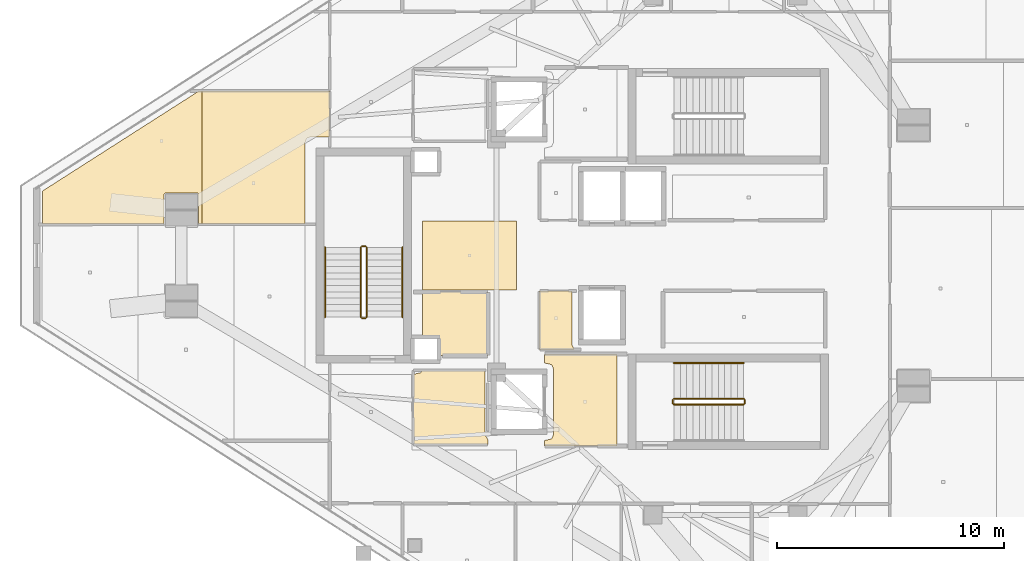
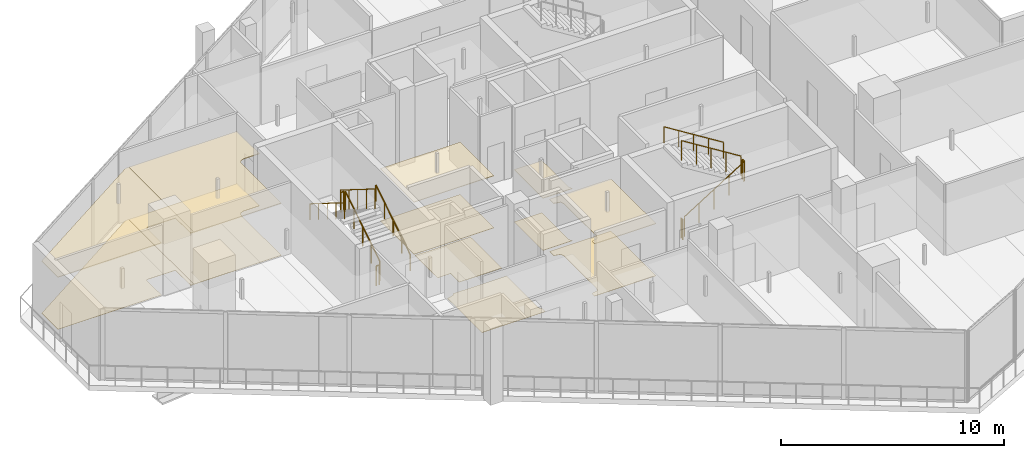
# One storey, part 26 of 29: 12 coverings, 11 railings.
"""IFC4 building model written with IfcOpenShell, lengths in metres."""

from ifc_helpers import new_model, si_unit, direction, frame, origin, origin_2d, place, context, subcontext, project, spatial, polyline, circle, outline, extrude, material, layer, layer_set, type_object, element, save


model = new_model("IFC4")

# Units and contexts
model_context = context("Model", 3, precision=1e-05, world=origin(), true_north=direction((0.0, 1.0)))
body_context = subcontext(model_context, "Body", "Model", "MODEL_VIEW")
ifc_project = project(units=[si_unit("LENGTHUNIT", "METRE"), si_unit("AREAUNIT", "SQUARE_METRE"), si_unit("VOLUMEUNIT", "CUBIC_METRE"), si_unit("PLANEANGLEUNIT", "RADIAN"), si_unit("MASSUNIT", "GRAM", prefix="KILO")], contexts=[model_context])

# Site, building, storey
site_placement = place(None, origin())
site = spatial("IfcSite", under=ifc_project, at=site_placement, CompositionType="ELEMENT")
building_placement = place(site_placement, origin())
building = spatial("IfcBuilding", under=site, at=building_placement, Name="Qorvath Tower", CompositionType="ELEMENT")
storey_placement = place(building_placement, frame((0.0, 0.0, 285.0)))
storey = spatial("IfcBuildingStorey", under=building, at=storey_placement, Name="L66", CompositionType="ELEMENT", Elevation=285.0)

# Coverings
ifc_material_1 = material(Name="Acoustic mineral fibre ceiling tile", Category="gypsum")
ifc_layer_1 = layer(ifc_material_1, 0.030029296875)
ifc_layer_set_1 = layer_set([ifc_layer_1], Name="COV-CEIL")
covering_type_1 = type_object("IfcCoveringType", Name="COV-CEIL", PredefinedType="CEILING", material=ifc_layer_set_1)
covering_1_placement = place(storey_placement, frame((0.0, 0.0, 2.85009765625)))
element("IfcCovering", 1, at=covering_1_placement, inside=storey, type_object=covering_type_1, Name="L66 Suspended Acoustic Ceiling 002", PredefinedType="CEILING", context=body_context, shape_type="SweptSolid", body=[
    extrude(outline(polyline([(-25.18994140625, -8.39501953125), (-25.18994140625, -4.35498046875), (-28.375, -4.35498046875), (-28.375, -4.739990234375), (-28.063232421875, -4.813232421875), (-27.989990234375, -4.989990234375), (-27.989990234375, -7.909912109375), (-28.063232421875, -8.086669921875), (-28.375, -8.159912109375), (-28.375, -8.39501953125), (-25.18994140625, -8.39501953125)])), origin(), (0.0, 0.0, 1.0), 0.030029296875),
])
covering_2_placement = place(storey_placement, frame((0.0, 0.0, 2.85009765625)))
element("IfcCovering", 2, at=covering_2_placement, inside=storey, type_object=covering_type_1, Name="L66 Suspended Acoustic Ceiling 006", PredefinedType="CEILING", context=body_context, shape_type="SweptSolid", body=[
    extrude(outline(polyline([(-27.06689453125, -4.14501953125), (-27.159912109375, -3.9599609375), (-27.159912109375, -1.56494140625), (-28.594970703125, -1.56494140625), (-28.594970703125, -4.14501953125), (-27.06689453125, -4.14501953125)])), origin(), (0.0, 0.0, 1.0), 0.030029296875),
])
covering_3_placement = place(storey_placement, frame((0.0, 0.0, 2.85009765625)))
element("IfcCovering", 3, at=covering_3_placement, inside=storey, type_object=covering_type_1, Name="L66 Suspended Acoustic Ceiling 012", PredefinedType="CEILING", context=body_context, shape_type="SweptSolid", body=[
    extrude(outline(polyline([(-29.614990234375, -1.514892578125), (-29.614990234375, 1.514892578125), (-33.760009765625, 1.514892578125), (-33.760009765625, -1.514892578125), (-29.614990234375, -1.514892578125)])), origin(), (0.0, 0.0, 1.0), 0.030029296875),
])
covering_4_placement = place(storey_placement, frame((0.0, 0.0, 2.85009765625)))
element("IfcCovering", 4, at=covering_4_placement, inside=storey, type_object=covering_type_1, Name="L66 Suspended Acoustic Ceiling 040", PredefinedType="CEILING", context=body_context, shape_type="SweptSolid", body=[
    extrude(outline(polyline([(-43.4833984375, 1.393310546875), (-43.4833984375, 7.2626953125), (-43.626220703125, 7.2626953125), (-50.5283203125, 2.8515625), (-50.5283203125, 1.389892578125), (-45.16259765625, 1.393310546875), (-45.16259765625, 2.70751953125), (-45.1025390625, 2.767578125), (-43.66015625, 2.75), (-43.642578125, 1.393310546875), (-43.4833984375, 1.393310546875)])), origin(), (0.0, 0.0, 1.0), 0.030029296875),
])
covering_5_placement = place(storey_placement, frame((0.0, 0.0, 2.85009765625)))
element("IfcCovering", 5, at=covering_5_placement, inside=storey, type_object=covering_type_1, Name="L66 Suspended Acoustic Ceiling 041", PredefinedType="CEILING", context=body_context, shape_type="SweptSolid", body=[
    extrude(outline(polyline([(-37.863037109375, 5.239990234375), (-37.863037109375, 7.2626953125), (-43.4833984375, 7.2626953125), (-43.4833984375, 1.393310546875), (-38.949951171875, 1.391845703125), (-38.949951171875, 4.989990234375), (-38.876708984375, 5.166748046875), (-38.699951171875, 5.239990234375), (-37.863037109375, 5.239990234375)])), origin(), (0.0, 0.0, 1.0), 0.030029296875),
])
ifc_material_2 = material(Name="Low-VOC modular carpet tile", Category="textile")
ifc_layer_2 = layer(ifc_material_2, 0.014892578125)
ifc_layer_set_2 = layer_set([ifc_layer_2], Name="COV-FLOOR-CPT")
covering_type_2 = type_object("IfcCoveringType", Name="COV-FLOOR-CPT", PredefinedType="FLOORING", material=ifc_layer_set_2)
covering_6_placement = place(storey_placement, origin())
element("IfcCovering", 6, at=covering_6_placement, inside=storey, type_object=covering_type_2, Name="L66 Floor Finish 006", PredefinedType="FLOORING", context=body_context, shape_type="SweptSolid", body=[
    extrude(outline(polyline([(-27.06689453125, -4.14501953125), (-27.159912109375, -3.9599609375), (-27.159912109375, -1.56494140625), (-28.594970703125, -1.56494140625), (-28.594970703125, -4.14501953125), (-27.06689453125, -4.14501953125)])), origin(), (0.0, 0.0, 1.0), 0.014892578125),
])
covering_7_placement = place(storey_placement, origin())
element("IfcCovering", 7, at=covering_7_placement, inside=storey, type_object=covering_type_2, Name="L66 Floor Finish 009", PredefinedType="FLOORING", context=body_context, shape_type="SweptSolid", body=[
    extrude(outline(polyline([(-30.885009765625, -4.4150390625), (-30.885009765625, -1.60498046875), (-33.760009765625, -1.60498046875), (-33.760009765625, -3.636962890625), (-33.08837890625, -3.638427734375), (-33.0869140625, -4.4150390625), (-30.885009765625, -4.4150390625)])), origin(), (0.0, 0.0, 1.0), 0.014892578125),
])
covering_8_placement = place(storey_placement, origin())
element("IfcCovering", 8, at=covering_8_placement, inside=storey, type_object=covering_type_2, Name="L66 Floor Finish 040", PredefinedType="FLOORING", context=body_context, shape_type="SweptSolid", body=[
    extrude(outline(polyline([(-43.4833984375, 1.393310546875), (-43.4833984375, 7.2626953125), (-43.626220703125, 7.2626953125), (-50.5283203125, 2.8515625), (-50.5283203125, 1.389892578125), (-45.16259765625, 1.393310546875), (-45.16259765625, 2.70751953125), (-45.1025390625, 2.767578125), (-43.66015625, 2.75), (-43.642578125, 1.393310546875), (-43.4833984375, 1.393310546875)])), origin(), (0.0, 0.0, 1.0), 0.014892578125),
])
covering_9_placement = place(storey_placement, origin())
element("IfcCovering", 9, at=covering_9_placement, inside=storey, type_object=covering_type_2, Name="L66 Floor Finish 041", PredefinedType="FLOORING", context=body_context, shape_type="SweptSolid", body=[
    extrude(outline(polyline([(-37.863037109375, 5.239990234375), (-37.863037109375, 7.2626953125), (-43.4833984375, 7.2626953125), (-43.4833984375, 1.393310546875), (-38.949951171875, 1.391845703125), (-38.949951171875, 4.989990234375), (-38.876708984375, 5.166748046875), (-38.699951171875, 5.239990234375), (-37.863037109375, 5.239990234375)])), origin(), (0.0, 0.0, 1.0), 0.014892578125),
])
ifc_material_3 = material(Name="Polished epoxy terrazzo flooring", Category="concrete")
ifc_layer_3 = layer(ifc_material_3, 0.02001953125)
ifc_layer_set_3 = layer_set([ifc_layer_3], Name="COV-FLOOR-TRZ")
covering_type_3 = type_object("IfcCoveringType", Name="COV-FLOOR-TRZ", PredefinedType="FLOORING", material=ifc_layer_set_3)
covering_10_placement = place(storey_placement, origin())
element("IfcCovering", 10, at=covering_10_placement, inside=storey, type_object=covering_type_3, Name="L66 Floor Finish 002", PredefinedType="FLOORING", context=body_context, shape_type="SweptSolid", body=[
    extrude(outline(polyline([(-25.18994140625, -8.39501953125), (-25.18994140625, -4.35498046875), (-28.375, -4.35498046875), (-28.375, -4.739990234375), (-28.063232421875, -4.813232421875), (-27.989990234375, -4.989990234375), (-27.989990234375, -7.909912109375), (-28.063232421875, -8.086669921875), (-28.375, -8.159912109375), (-28.375, -8.39501953125), (-25.18994140625, -8.39501953125)])), origin(), (0.0, 0.0, 1.0), 0.014892578125),
])
covering_11_placement = place(storey_placement, origin())
element("IfcCovering", 11, at=covering_11_placement, inside=storey, type_object=covering_type_3, Name="L66 Floor Finish 008", PredefinedType="FLOORING", context=body_context, shape_type="SweptSolid", body=[
    extrude(outline(polyline([(-30.885009765625, -8.108154296875), (-31.010009765625, -7.909912109375), (-31.010009765625, -5.054931640625), (-33.786865234375, -5.054931640625), (-33.833251953125, -5.166748046875), (-34.175048828125, -5.239990234375), (-34.175048828125, -8.344970703125), (-30.885009765625, -8.344970703125), (-30.885009765625, -8.108154296875)])), origin(), (0.0, 0.0, 1.0), 0.014892578125),
])
covering_12_placement = place(storey_placement, origin())
element("IfcCovering", 12, at=covering_12_placement, inside=storey, type_object=covering_type_3, Name="L66 Floor Finish 012", PredefinedType="FLOORING", context=body_context, shape_type="SweptSolid", body=[
    extrude(outline(polyline([(-29.614990234375, -1.514892578125), (-29.614990234375, 1.514892578125), (-33.760009765625, 1.514892578125), (-33.760009765625, -1.514892578125), (-29.614990234375, -1.514892578125)])), origin(), (0.0, 0.0, 1.0), 0.014892578125),
])

# Railings
ifc_material_4 = material(Name="Painted galvanised steel", Category="steel")
railing_type_1 = type_object("IfcRailingType", Name="RL-STR-GRD", PredefinedType="GUARDRAIL", material=ifc_material_4)
railing_1_placement = place(storey_placement, frame((-22.669921875, -6.570068359375, 0.175048828125)))
element("IfcRailing", 13, at=railing_1_placement, inside=storey, type_object=railing_type_1, Name="L66 TS2 stair guard 1", PredefinedType="GUARDRAIL", context=body_context, shape_type="SweptSolid", body=[
    extrude(circle(Radius=0.02392578125, at=origin_2d()), frame((0.0, 0.0, 1.076171875), z_axis=(0.847979421464, 0.0, 0.530029150871), x_axis=(0.0, 1.0, 0.0)), (0.0, 0.0, 1.0), 3.632080078125),
    extrude(circle(Radius=0.02099609375, at=origin_2d()), origin(), (0.0, 0.0, 1.0), 1.052001953125),
    extrude(circle(Radius=0.02099609375, at=origin_2d()), frame((0.77001953125, 0.0, 0.481201171875)), (0.0, 0.0, 1.0), 1.052001953125),
    extrude(circle(Radius=0.02099609375, at=origin_2d()), frame((1.5400390625, 0.0, 0.96240234375)), (0.0, 0.0, 1.0), 1.052001953125),
    extrude(circle(Radius=0.02099609375, at=origin_2d()), frame((2.309814453125, 0.0, 1.44384765625)), (0.0, 0.0, 1.0), 1.052001953125),
    extrude(circle(Radius=0.02099609375, at=origin_2d()), frame((3.079833984375, 0.0, 1.925048828125)), (0.0, 0.0, 1.0), 1.052001953125),
])
railing_2_placement = place(storey_placement, frame((-19.5400390625, -6.52001953125, 2.10009765625)))
element("IfcRailing", 14, at=railing_2_placement, inside=storey, type_object=railing_type_1, Name="L66 TS2 stair guard 2", PredefinedType="GUARDRAIL", context=body_context, shape_type="SweptSolid", body=[
    extrude(circle(Radius=0.02392578125, at=origin_2d()), frame((0.0, 0.0, 1.076171875), z_axis=(0.0, 1.0, 0.0), x_axis=(-1.0, 0.0, 0.0)), (0.0, 0.0, 1.0), 0.14990234375),
    extrude(circle(Radius=0.02099609375, at=origin_2d()), origin(), (0.0, 0.0, 1.0), 1.052001953125),
    extrude(circle(Radius=0.02099609375, at=origin_2d()), frame((0.0, 0.14990234375, 0.0)), (0.0, 0.0, 1.0), 1.052001953125),
])
railing_3_placement = place(storey_placement, frame((-19.590087890625, -6.320068359375, 2.27490234375)))
element("IfcRailing", 15, at=railing_3_placement, inside=storey, type_object=railing_type_1, Name="L66 TS2 stair guard 3", PredefinedType="GUARDRAIL", context=body_context, shape_type="SweptSolid", body=[
    extrude(circle(Radius=0.02392578125, at=origin_2d()), frame((0.0, 0.0, 1.076171875), z_axis=(-0.847979421464, 0.0, 0.530029150871), x_axis=(0.0, -1.0, 0.0)), (0.0, 0.0, 1.0), 3.632080078125),
    extrude(circle(Radius=0.02099609375, at=origin_2d()), origin(), (0.0, 0.0, 1.0), 1.052001953125),
    extrude(circle(Radius=0.02099609375, at=origin_2d()), frame((-0.77001953125, 0.0, 0.481201171875)), (0.0, 0.0, 1.0), 1.052001953125),
    extrude(circle(Radius=0.02099609375, at=origin_2d()), frame((-1.5400390625, 0.0, 0.96240234375)), (0.0, 0.0, 1.0), 1.052001953125),
    extrude(circle(Radius=0.02099609375, at=origin_2d()), frame((-2.309814453125, 0.0, 1.44384765625)), (0.0, 0.0, 1.0), 1.052001953125),
    extrude(circle(Radius=0.02099609375, at=origin_2d()), frame((-3.079833984375, 0.0, 1.925048828125)), (0.0, 0.0, 1.0), 1.052001953125),
])
railing_4_placement = place(storey_placement, frame((-22.719970703125, -6.52001953125, 0.0)))
element("IfcRailing", 16, at=railing_4_placement, inside=storey, type_object=railing_type_1, Name="L66 TS2 stair guard 4", PredefinedType="GUARDRAIL", context=body_context, shape_type="SweptSolid", body=[
    extrude(circle(Radius=0.02392578125, at=origin_2d()), frame((0.0, 0.0, 1.076171875), z_axis=(0.0, 1.0, 0.0), x_axis=(-1.0, 0.0, 0.0)), (0.0, 0.0, 1.0), 0.14990234375),
    extrude(circle(Radius=0.02099609375, at=origin_2d()), origin(), (0.0, 0.0, 1.0), 1.052001953125),
    extrude(circle(Radius=0.02099609375, at=origin_2d()), frame((0.0, 0.14990234375, 0.0)), (0.0, 0.0, 1.0), 1.052001953125),
])
railing_5_placement = place(storey_placement, frame((-36.22998046875, -2.719970703125, 0.175048828125)))
element("IfcRailing", 17, at=railing_5_placement, inside=storey, type_object=railing_type_1, Name="L66 TS3 stair guard 1", PredefinedType="GUARDRAIL", context=body_context, shape_type="SweptSolid", body=[
    extrude(circle(Radius=0.02392578125, at=origin_2d()), frame((0.0, 0.0, 1.076171875), z_axis=(0.0, 0.847998304005, 0.529998940003), x_axis=(-1.0, 0.0, 0.0)), (0.0, 0.0, 1.0), 3.632080078125),
    extrude(circle(Radius=0.02099609375, at=origin_2d()), origin(), (0.0, 0.0, 1.0), 1.052001953125),
    extrude(circle(Radius=0.02099609375, at=origin_2d()), frame((0.0, 0.77001953125, 0.481201171875)), (0.0, 0.0, 1.0), 1.052001953125),
    extrude(circle(Radius=0.02099609375, at=origin_2d()), frame((0.0, 1.5400390625, 0.96240234375)), (0.0, 0.0, 1.0), 1.052001953125),
    extrude(circle(Radius=0.02099609375, at=origin_2d()), frame((0.0, 2.31005859375, 1.44384765625)), (0.0, 0.0, 1.0), 1.052001953125),
    extrude(circle(Radius=0.02099609375, at=origin_2d()), frame((0.0, 3.080078125, 1.925048828125)), (0.0, 0.0, 1.0), 1.052001953125),
])
railing_6_placement = place(storey_placement, frame((-36.280029296875, 0.409912109375, 2.10009765625)))
element("IfcRailing", 18, at=railing_6_placement, inside=storey, type_object=railing_type_1, Name="L66 TS3 stair guard 2", PredefinedType="GUARDRAIL", context=body_context, shape_type="SweptSolid", body=[
    extrude(circle(Radius=0.02392578125, at=origin_2d()), frame((0.0, 0.0, 1.076171875), z_axis=(-1.0, 0.0, 0.0), x_axis=(0.0, -1.0, 0.0)), (0.0, 0.0, 1.0), 0.14990234375),
    extrude(circle(Radius=0.02099609375, at=origin_2d()), origin(), (0.0, 0.0, 1.0), 1.052001953125),
    extrude(circle(Radius=0.02099609375, at=origin_2d()), frame((-0.14990234375, 0.0, 0.0)), (0.0, 0.0, 1.0), 1.052001953125),
])
railing_7_placement = place(storey_placement, frame((-36.47998046875, 0.360107421875, 2.27490234375)))
element("IfcRailing", 19, at=railing_7_placement, inside=storey, type_object=railing_type_1, Name="L66 TS3 stair guard 3", PredefinedType="GUARDRAIL", context=body_context, shape_type="SweptSolid", body=[
    extrude(circle(Radius=0.02392578125, at=origin_2d()), frame((0.0, 0.0, 1.076171875), z_axis=(0.0, -0.847998304005, 0.529998940003), x_axis=(1.0, 0.0, 0.0)), (0.0, 0.0, 1.0), 3.632080078125),
    extrude(circle(Radius=0.02099609375, at=origin_2d()), origin(), (0.0, 0.0, 1.0), 1.052001953125),
    extrude(circle(Radius=0.02099609375, at=origin_2d()), frame((0.0, -0.77001953125, 0.481201171875)), (0.0, 0.0, 1.0), 1.052001953125),
    extrude(circle(Radius=0.02099609375, at=origin_2d()), frame((0.0, -1.5400390625, 0.96240234375)), (0.0, 0.0, 1.0), 1.052001953125),
    extrude(circle(Radius=0.02099609375, at=origin_2d()), frame((0.0, -2.31005859375, 1.44384765625)), (0.0, 0.0, 1.0), 1.052001953125),
    extrude(circle(Radius=0.02099609375, at=origin_2d()), frame((0.0, -3.080078125, 1.925048828125)), (0.0, 0.0, 1.0), 1.052001953125),
])
railing_8_placement = place(storey_placement, frame((-36.280029296875, -2.77001953125, 0.0)))
element("IfcRailing", 20, at=railing_8_placement, inside=storey, type_object=railing_type_1, Name="L66 TS3 stair guard 4", PredefinedType="GUARDRAIL", context=body_context, shape_type="SweptSolid", body=[
    extrude(circle(Radius=0.02392578125, at=origin_2d()), frame((0.0, 0.0, 1.076171875), z_axis=(-1.0, 0.0, 0.0), x_axis=(0.0, -1.0, 0.0)), (0.0, 0.0, 1.0), 0.14990234375),
    extrude(circle(Radius=0.02099609375, at=origin_2d()), origin(), (0.0, 0.0, 1.0), 1.052001953125),
    extrude(circle(Radius=0.02099609375, at=origin_2d()), frame((-0.14990234375, 0.0, 0.0)), (0.0, 0.0, 1.0), 1.052001953125),
])
ifc_material_5 = material(Name="Brushed stainless steel AISI 304", Category="steel")
railing_type_2 = type_object("IfcRailingType", Name="RL-STR-HND", PredefinedType="HANDRAIL", material=ifc_material_5)
railing_9_placement = place(storey_placement, frame((-19.590087890625, -4.739990234375, 2.27490234375)))
element("IfcRailing", 21, at=railing_9_placement, inside=storey, type_object=railing_type_2, Name="L66 TS2 stair handrail 2", PredefinedType="HANDRAIL", context=body_context, shape_type="SweptSolid", body=[
    extrude(circle(Radius=0.02392578125, at=origin_2d()), frame((0.0, 0.0, 0.8759765625), z_axis=(-0.847979421464, 0.0, 0.530029150871), x_axis=(0.0, -1.0, 0.0)), (0.0, 0.0, 1.0), 3.632080078125),
    extrude(circle(Radius=0.02099609375, at=origin_2d()), origin(), (0.0, 0.0, 1.0), 0.851806640625),
    extrude(circle(Radius=0.02099609375, at=origin_2d()), frame((-0.77001953125, 0.0, 0.481201171875)), (0.0, 0.0, 1.0), 0.851806640625),
    extrude(circle(Radius=0.02099609375, at=origin_2d()), frame((-1.5400390625, 0.0, 0.96240234375)), (0.0, 0.0, 1.0), 0.851806640625),
    extrude(circle(Radius=0.02099609375, at=origin_2d()), frame((-2.309814453125, 0.0, 1.44384765625)), (0.0, 0.0, 1.0), 0.851806640625),
    extrude(circle(Radius=0.02099609375, at=origin_2d()), frame((-3.079833984375, 0.0, 1.925048828125)), (0.0, 0.0, 1.0), 0.851806640625),
])
railing_10_placement = place(storey_placement, frame((-34.64990234375, -2.719970703125, 0.175048828125)))
element("IfcRailing", 22, at=railing_10_placement, inside=storey, type_object=railing_type_2, Name="L66 TS3 stair handrail 1", PredefinedType="HANDRAIL", context=body_context, shape_type="SweptSolid", body=[
    extrude(circle(Radius=0.02392578125, at=origin_2d()), frame((0.0, 0.0, 0.8759765625), z_axis=(0.0, 0.847998304005, 0.529998940003), x_axis=(-1.0, 0.0, 0.0)), (0.0, 0.0, 1.0), 3.632080078125),
    extrude(circle(Radius=0.02099609375, at=origin_2d()), origin(), (0.0, 0.0, 1.0), 0.851806640625),
    extrude(circle(Radius=0.02099609375, at=origin_2d()), frame((0.0, 0.77001953125, 0.481201171875)), (0.0, 0.0, 1.0), 0.851806640625),
    extrude(circle(Radius=0.02099609375, at=origin_2d()), frame((0.0, 1.5400390625, 0.96240234375)), (0.0, 0.0, 1.0), 0.851806640625),
    extrude(circle(Radius=0.02099609375, at=origin_2d()), frame((0.0, 2.31005859375, 1.44384765625)), (0.0, 0.0, 1.0), 0.851806640625),
    extrude(circle(Radius=0.02099609375, at=origin_2d()), frame((0.0, 3.080078125, 1.925048828125)), (0.0, 0.0, 1.0), 0.851806640625),
])
railing_11_placement = place(storey_placement, frame((-38.06005859375, 0.360107421875, 2.27490234375)))
element("IfcRailing", 23, at=railing_11_placement, inside=storey, type_object=railing_type_2, Name="L66 TS3 stair handrail 2", PredefinedType="HANDRAIL", context=body_context, shape_type="SweptSolid", body=[
    extrude(circle(Radius=0.02392578125, at=origin_2d()), frame((0.0, 0.0, 0.8759765625), z_axis=(0.0, -0.847998304005, 0.529998940003), x_axis=(1.0, 0.0, 0.0)), (0.0, 0.0, 1.0), 3.632080078125),
    extrude(circle(Radius=0.02099609375, at=origin_2d()), origin(), (0.0, 0.0, 1.0), 0.851806640625),
    extrude(circle(Radius=0.02099609375, at=origin_2d()), frame((0.0, -0.77001953125, 0.481201171875)), (0.0, 0.0, 1.0), 0.851806640625),
    extrude(circle(Radius=0.02099609375, at=origin_2d()), frame((0.0, -1.5400390625, 0.96240234375)), (0.0, 0.0, 1.0), 0.851806640625),
    extrude(circle(Radius=0.02099609375, at=origin_2d()), frame((0.0, -2.31005859375, 1.44384765625)), (0.0, 0.0, 1.0), 0.851806640625),
    extrude(circle(Radius=0.02099609375, at=origin_2d()), frame((0.0, -3.080078125, 1.925048828125)), (0.0, 0.0, 1.0), 0.851806640625),
])

save(model, "model.ifc")
